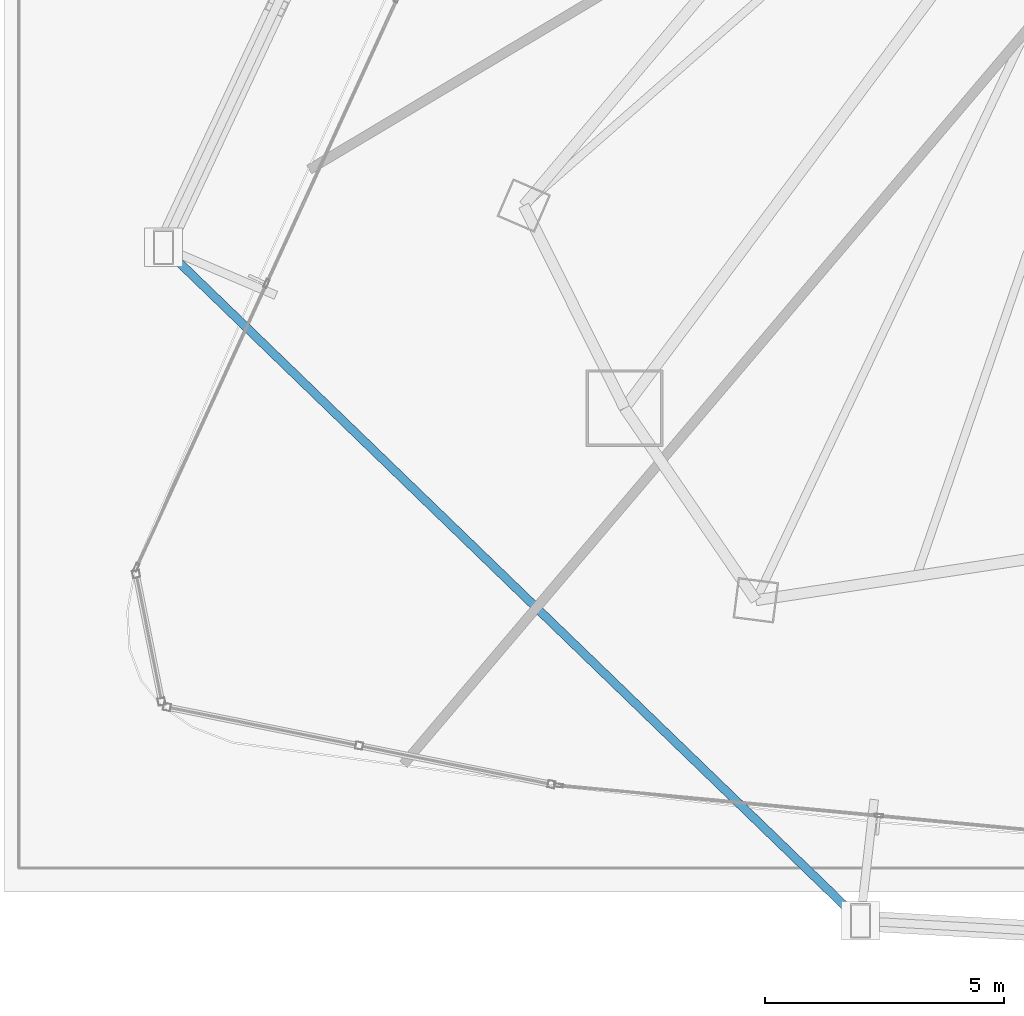
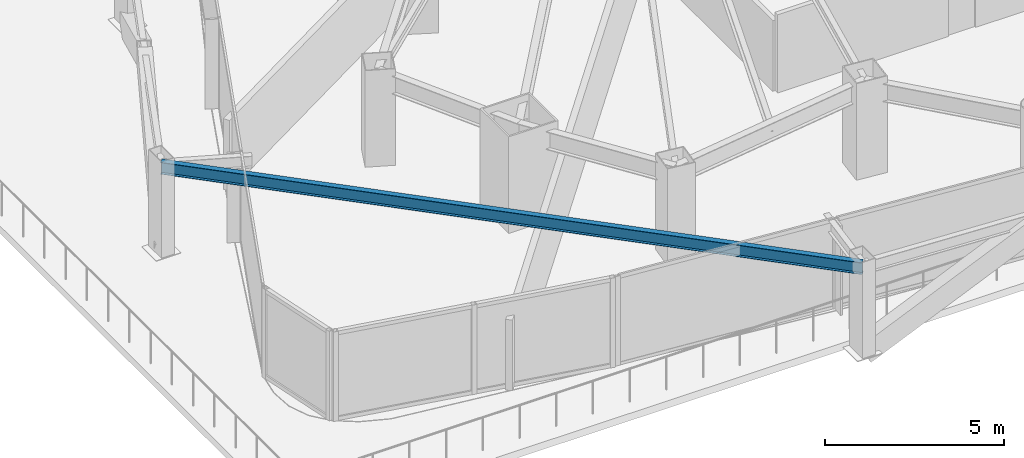
# One storey, part 3 of 36: 1 beam.
"""IFC4 building model written with IfcOpenShell, lengths in metres."""

from ifc_helpers import new_model, si_unit, direction, frame, origin, origin_2d, place, context, subcontext, project, spatial, i_section, extrude, material, material_profile, profile_set, type_object, element, save


model = new_model("IFC4")

# Units and contexts
model_context = context("Model", 3, precision=1e-05, world=origin(), true_north=direction((0.0, 1.0)))
body_context = subcontext(model_context, "Body", "Model", "MODEL_VIEW")
ifc_project = project(units=[si_unit("LENGTHUNIT", "METRE"), si_unit("AREAUNIT", "SQUARE_METRE"), si_unit("VOLUMEUNIT", "CUBIC_METRE"), si_unit("PLANEANGLEUNIT", "RADIAN"), si_unit("MASSUNIT", "GRAM", prefix="KILO")], contexts=[model_context])

# Site, building, storey
site_placement = place(None, origin())
site = spatial("IfcSite", under=ifc_project, at=site_placement, CompositionType="ELEMENT")
building_placement = place(site_placement, origin())
building = spatial("IfcBuilding", under=site, at=building_placement, Name="Orvanel Arch Residences", CompositionType="ELEMENT")
storey_placement = place(building_placement, frame((0.0, 0.0, 23.60009765625)))
storey = spatial("IfcBuildingStorey", under=building, at=storey_placement, Name="L05", CompositionType="ELEMENT", Elevation=23.60009765625)

# Beam
ifc_material = material(Name="Structural steel AS/NZS 3679.1 Grade 300 (300 MPa)", Category="steel")
ifc_material_profile = material_profile(ifc_material, i_section(OverallWidth=0.177978515625, OverallDepth=0.406005859375, WebThickness=0.0078125, FlangeThickness=0.0126953125, at=origin_2d()), Name="410UB59.7")
ifc_profile_set = profile_set([ifc_material_profile], Name="Structural steel AS/NZS 3679.1 Grade 300 (300 MPa)")
beam_type = type_object("IfcBeamType", Name="OB-410UB-EXT", PredefinedType="SPANDREL", material=ifc_profile_set)
beam_placement = place(storey_placement, frame((4.572998046875, 13.7080078125, 2.85693359375), z_axis=(0.719061717899, -0.694946217956, 0.0), x_axis=(0.694946217956, 0.719061717899, 0.0)))
element("IfcBeam", 1, at=beam_placement, inside=storey, type_object=beam_type, Name="L05 Outer Perimeter Floor Ring Beam 04", PredefinedType="SPANDREL", context=body_context, shape_type="SweptSolid", body=[
    extrude(i_section(OverallWidth=0.177978515625, OverallDepth=0.406005859375, WebThickness=0.0078125, FlangeThickness=0.0126953125, at=origin_2d()), origin(), (0.0, 0.0, 1.0), 20.237548828125),
])

save(model, "model.ifc")
